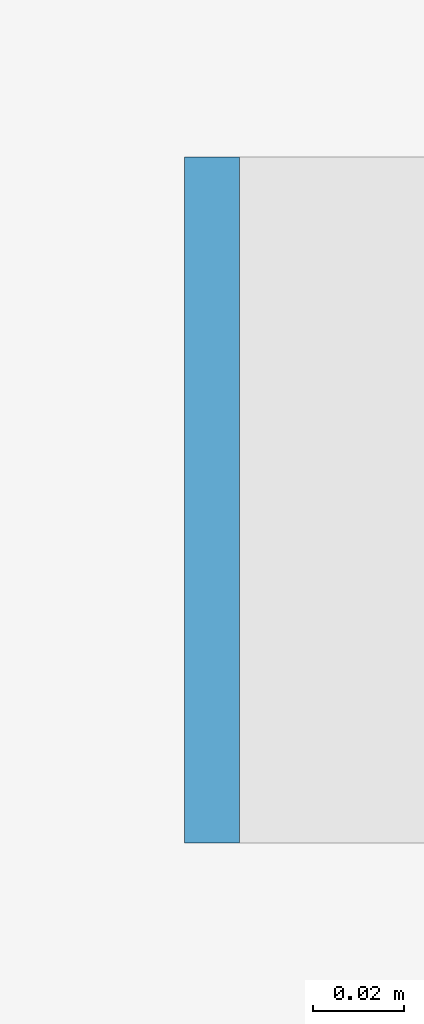
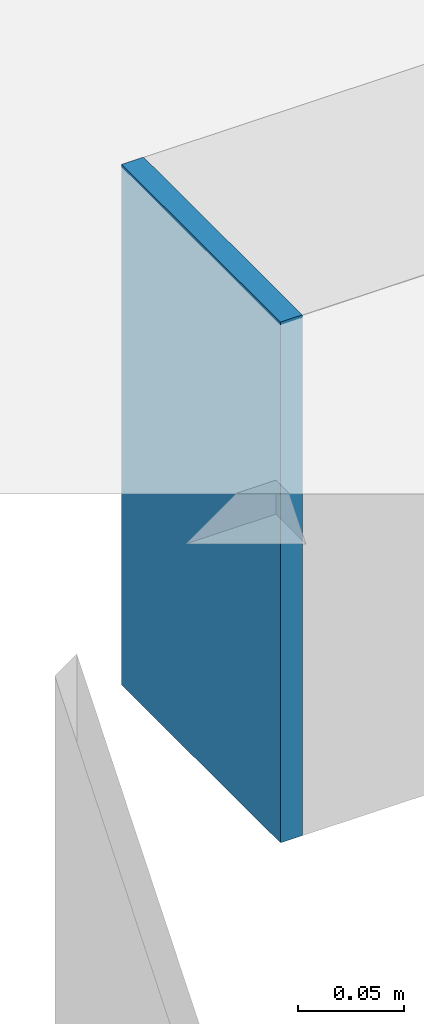
# One storey, part 76 of 96: 1 discrete accessory.
"""IFC4 building model written with IfcOpenShell, lengths in metres."""

from ifc_helpers import new_model, si_unit, direction, frame, origin, place, context, subcontext, project, spatial, polyline, outline, extrude, material, layer, layer_set, type_object, element, save


model = new_model("IFC4")

# Units and contexts
model_context = context("Model", 3, precision=1e-05, world=origin(), true_north=direction((0.0, 1.0)))
body_context = subcontext(model_context, "Body", "Model", "MODEL_VIEW")
ifc_project = project(units=[si_unit("LENGTHUNIT", "METRE"), si_unit("AREAUNIT", "SQUARE_METRE"), si_unit("VOLUMEUNIT", "CUBIC_METRE"), si_unit("PLANEANGLEUNIT", "RADIAN"), si_unit("MASSUNIT", "GRAM", prefix="KILO")], contexts=[model_context])

# Site, building, storey
site_placement = place(None, origin())
site = spatial("IfcSite", under=ifc_project, at=site_placement, CompositionType="ELEMENT")
building_placement = place(site_placement, origin())
building = spatial("IfcBuilding", under=site, at=building_placement, Name="Kisiwana Market Hall", CompositionType="ELEMENT")
storey_placement = place(building_placement, frame((0.0, 0.0, 25.5)))
storey = spatial("IfcBuildingStorey", under=building, at=storey_placement, Name="L05", CompositionType="ELEMENT", Elevation=25.5)

# Discrete accessory
ifc_material = material(Name="Steel S355", Category="steel")
ifc_layer = layer(ifc_material, 0.011962890625)
ifc_layer_set = layer_set([ifc_layer], Name="ACC-ENDCAP-STL")
discrete_accessory_type = type_object("IfcDiscreteAccessoryType", Name="ACC-ENDCAP-STL", PredefinedType="USERDEFINED", material=ifc_layer_set)
discrete_accessory_placement = place(storey_placement, frame((0.0, 0.0, -0.614990234375)))
element("IfcDiscreteAccessory", 1, at=discrete_accessory_placement, inside=storey, type_object=discrete_accessory_type, Name="End cap plate EC-0077", ObjectType="End cap plate", PredefinedType="USERDEFINED", context=body_context, shape_type="SweptSolid", body=[
    extrude(outline(polyline([(189.193359375, 101.925048828125), (189.193359375, 102.074951171875), (189.181396484375, 102.074951171875), (189.181396484375, 101.925048828125), (189.193359375, 101.925048828125)])), origin(), (0.0, 0.0, 1.0), 0.300048828125),
])

save(model, "model.ifc")
